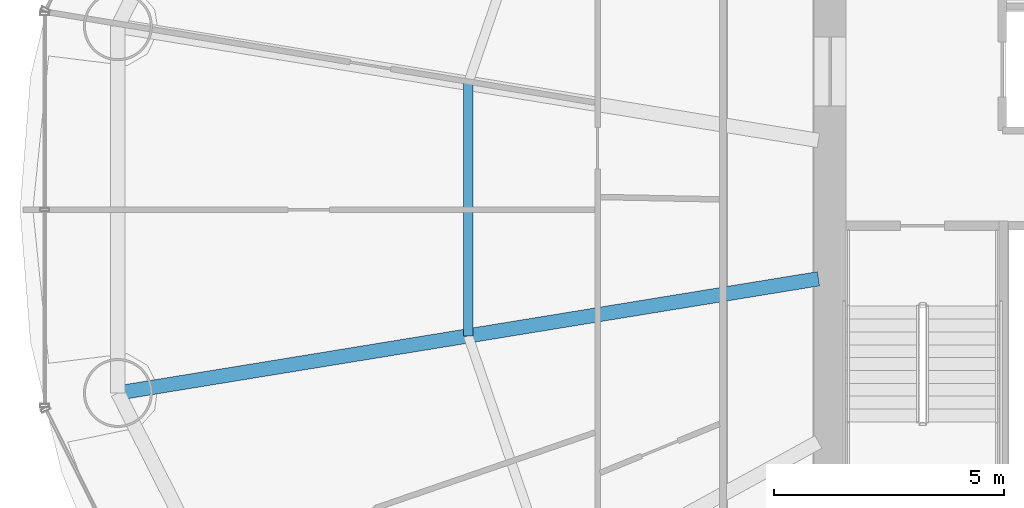
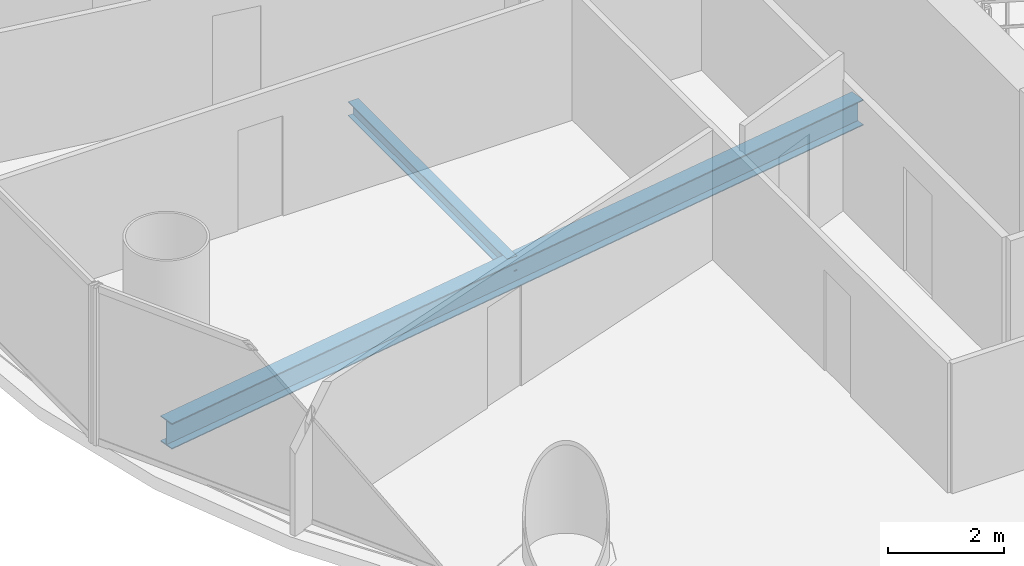
# One storey, part 8 of 29: 2 beams.
"""IFC4 building model written with IfcOpenShell, lengths in metres."""

from ifc_helpers import new_model, si_unit, direction, frame, origin, origin_2d, place, context, subcontext, project, spatial, i_section, extrude, material, material_profile, profile_set, type_object, element, save


model = new_model("IFC4")

# Units and contexts
model_context = context("Model", 3, precision=1e-05, world=origin(), true_north=direction((-0.2419218956, 0.970295726276)))
body_context = subcontext(model_context, "Body", "Model", "MODEL_VIEW")
ifc_project = project(units=[si_unit("LENGTHUNIT", "METRE"), si_unit("AREAUNIT", "SQUARE_METRE"), si_unit("VOLUMEUNIT", "CUBIC_METRE"), si_unit("PLANEANGLEUNIT", "RADIAN"), si_unit("MASSUNIT", "GRAM", prefix="KILO")], contexts=[model_context])

# Site, building, storey
site_placement = place(None, origin())
site = spatial("IfcSite", under=ifc_project, at=site_placement, CompositionType="ELEMENT")
building_placement = place(site_placement, origin())
building = spatial("IfcBuilding", under=site, at=building_placement, Name="Cobrevalo Terracotta Tower", CompositionType="ELEMENT")
storey_placement = place(building_placement, frame((0.0, 0.0, 115.800048828125)))
storey = spatial("IfcBuildingStorey", under=building, at=storey_placement, Name="L30", CompositionType="ELEMENT", Elevation=115.800048828125)

# Beams
ifc_material = material(Name="Steel S355", Category="steel")
ifc_material_profile_1 = material_profile(ifc_material, i_section(OverallWidth=0.31201171875, OverallDepth=0.54296875, WebThickness=0.0126953125, FlangeThickness=0.020263671875, at=origin_2d()), Name="W 530x150")
ifc_profile_set_1 = profile_set([ifc_material_profile_1], Name="Steel S355")
beam_type_1 = type_object("IfcBeamType", Name="Structural Beam W 530x150 (Steel S355)", PredefinedType="BEAM", material=ifc_profile_set_1)
beam_1_placement = place(storey_placement, frame((13.529296875, 22.810302734375, -0.546630859375), z_axis=(0.986968056587, 0.160916298977, 0.0), x_axis=(-0.160916298977, 0.986968056587, 0.0)))
element("IfcBeam", 1, at=beam_1_placement, inside=storey, type_object=beam_type_1, Name="L30 radial floor girder 09", PredefinedType="BEAM", context=body_context, shape_type="SweptSolid", body=[
    extrude(i_section(OverallWidth=0.31201171875, OverallDepth=0.54296875, WebThickness=0.0126953125, FlangeThickness=0.020263671875, at=origin_2d()), origin(), (0.0, 0.0, 1.0), 15.44189453125),
])
ifc_material_profile_2 = material_profile(ifc_material, i_section(OverallWidth=0.2041015625, OverallDepth=0.305908203125, WebThickness=0.008544921875, FlangeThickness=0.0146484375, at=origin_2d()), Name="W 310x67")
ifc_profile_set_2 = profile_set([ifc_material_profile_2], Name="Steel S355")
beam_type_2 = type_object("IfcBeamType", Name="Structural Joist W 310x67 (Steel S355)", PredefinedType="JOIST", material=ifc_profile_set_2)
beam_2_placement = place(storey_placement, frame((21.149658203125, 29.547119140625, -0.427978515625), z_axis=(0.0, -1.0, 0.0), x_axis=(1.0, 0.0, 0.0)))
element("IfcBeam", 2, at=beam_2_placement, inside=storey, type_object=beam_type_2, Name="L30 circumferential secondary floor joist 08", PredefinedType="JOIST", context=body_context, shape_type="SweptSolid", body=[
    extrude(i_section(OverallWidth=0.2041015625, OverallDepth=0.305908203125, WebThickness=0.008544921875, FlangeThickness=0.0146484375, at=origin_2d()), origin(), (0.0, 0.0, 1.0), 5.494384765625),
])

save(model, "model.ifc")
